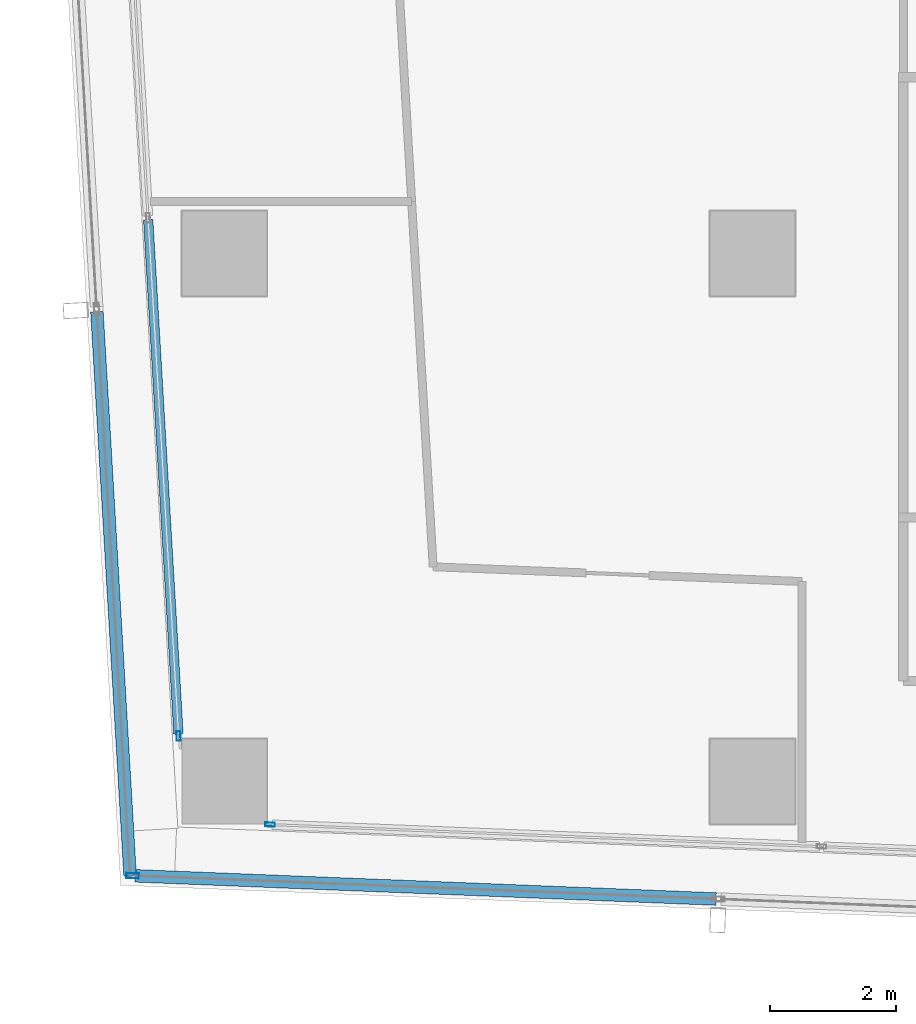
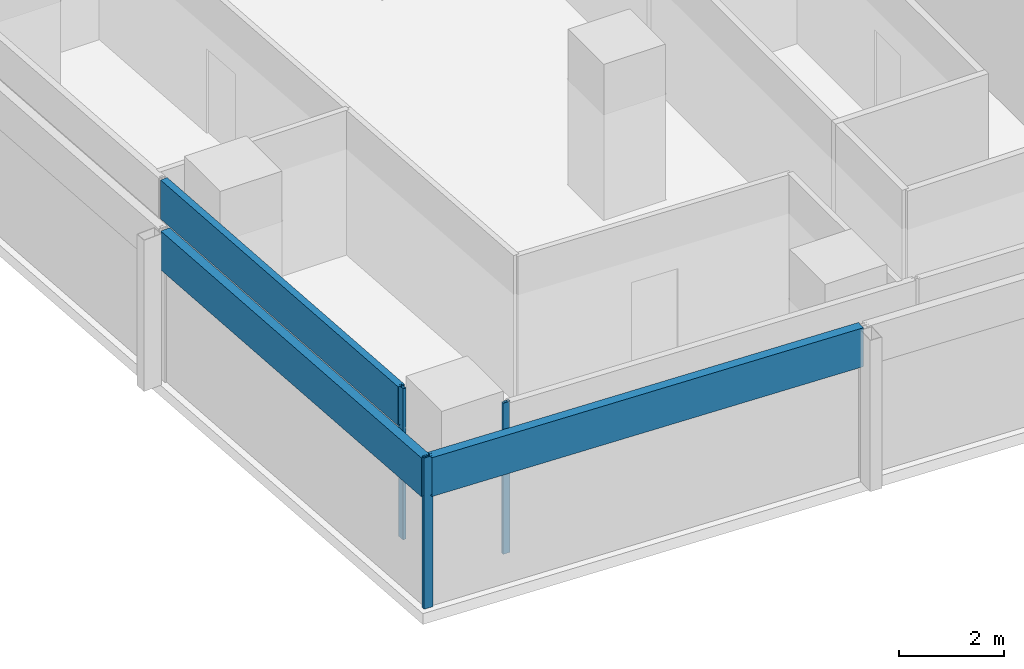
# One storey, part 2 of 38: 6 members, 4 elements without a shape of their own.
"""IFC4 building model written with IfcOpenShell, lengths in metres."""

from ifc_helpers import new_model, si_unit, direction, frame, origin, origin_2d, place, context, subcontext, project, spatial, hollow_rectangle, extrude, material, material_profile, profile_set, type_object, element, aggregate, save


model = new_model("IFC4")

# Units and contexts
model_context = context("Model", 3, precision=1e-05, world=origin(), true_north=direction((0.0, 1.0)))
body_context = subcontext(model_context, "Body", "Model", "MODEL_VIEW")
ifc_project = project(units=[si_unit("LENGTHUNIT", "METRE"), si_unit("AREAUNIT", "SQUARE_METRE"), si_unit("VOLUMEUNIT", "CUBIC_METRE"), si_unit("PLANEANGLEUNIT", "RADIAN"), si_unit("MASSUNIT", "GRAM", prefix="KILO")], contexts=[model_context])

# Site, building, storey
site_placement = place(None, origin())
site = spatial("IfcSite", under=ifc_project, at=site_placement, CompositionType="ELEMENT")
building_placement = place(site_placement, origin())
building = spatial("IfcBuilding", under=site, at=building_placement, Name="Rekha Terrace Tower", CompositionType="ELEMENT")
storey_placement = place(building_placement, frame((0.0, 0.0, 198.949951171875)))
storey = spatial("IfcBuildingStorey", under=building, at=storey_placement, Name="L50", CompositionType="ELEMENT", Elevation=198.949951171875)

# Curtain wall, member
ifc_material_1 = material(Name="Aluminium framing", Category="aluminium")
curtain_wall_type_1 = type_object("IfcCurtainWallType", Name="CW1 double skin inner glazing", PredefinedType="USERDEFINED", material=ifc_material_1)
curtain_wall_1_placement = place(storey_placement, origin())
curtain_wall_1 = element("IfcCurtainWall", 1, at=curtain_wall_1_placement, inside=storey, type_object=curtain_wall_type_1, Name="CW1 double skin inner glazing", ObjectType="DOUBLE SKIN INNER GLAZING", PredefinedType="USERDEFINED")
ifc_material_2 = material(Name="Aluminium mullion section", Category="aluminium")
ifc_material_profile_1 = material_profile(ifc_material_2, hollow_rectangle(XDim=0.06494140625, YDim=0.14990234375, WallThickness=0.00390625, at=origin_2d()), Name="AL RHS 65x150")
ifc_profile_set_1 = profile_set([ifc_material_profile_1], Name="Aluminium mullion section")
member_type_1 = type_object("IfcMemberType", Name="CW1 mullion RHS 65 x 150", PredefinedType="MULLION", material=ifc_profile_set_1)
member_1_placement = place(storey_placement, frame((9.127197265625, 16.115966796875, 0.0), z_axis=(0.0, 0.0, 1.0), x_axis=(0.039872497061, 0.999204775798, 0.0)))
member_1 = element("IfcMember", 2, at=member_1_placement, type_object=member_type_1, Name="CW1 mullion 1", PredefinedType="MULLION", context=body_context, shape_type="SweptSolid", body=[
    extrude(hollow_rectangle(XDim=0.06494140625, YDim=0.14990234375, WallThickness=0.00390625, at=origin_2d()), origin(), (0.0, 0.0, 1.0), 3.5),
])
aggregate(curtain_wall_1, [member_1])

# Curtain wall, members
curtain_wall_2_placement = place(storey_placement, origin())
curtain_wall_2 = element("IfcCurtainWall", 3, at=curtain_wall_2_placement, inside=storey, type_object=curtain_wall_type_1, Name="CW1 double skin inner glazing", ObjectType="DOUBLE SKIN INNER GLAZING", PredefinedType="USERDEFINED")
member_2_placement = place(storey_placement, frame((7.672119140625, 17.5244140625, 0.0), z_axis=(0.0, 0.0, 1.0), x_axis=(0.998271839269, 0.058765082516, 0.0)))
member_2 = element("IfcMember", 4, at=member_2_placement, type_object=member_type_1, Name="CW1 mullion 4", PredefinedType="MULLION", context=body_context, shape_type="SweptSolid", body=[
    extrude(hollow_rectangle(XDim=0.06494140625, YDim=0.14990234375, WallThickness=0.00390625, at=origin_2d()), origin(), (0.0, 0.0, 1.0), 3.5),
])
ifc_material_3 = material(Name="Insulated aluminium spandrel box", Category="aluminium")
ifc_material_profile_2 = material_profile(ifc_material_3, hollow_rectangle(XDim=0.14990234375, YDim=0.89990234375, WallThickness=0.0029296875, at=origin_2d()), Name="AL SPANDREL BOX 150x900")
ifc_profile_set_2 = profile_set([ifc_material_profile_2], Name="Insulated aluminium spandrel box")
member_type_2 = type_object("IfcMemberType", Name="CW1 spandrel transom 150 x 900", PredefinedType="USERDEFINED", material=ifc_profile_set_2)
member_3_placement = place(storey_placement, frame((7.188720703125, 25.733642578125, 3.050048828125), z_axis=(0.058777934282, -0.998271082643, 0.0), x_axis=(0.998271082643, 0.058777934282, 0.0)))
member_3 = element("IfcMember", 5, at=member_3_placement, type_object=member_type_2, Name="CW1 spandrel transom 3", ObjectType="TRANSOM", PredefinedType="USERDEFINED", context=body_context, shape_type="SweptSolid", body=[
    extrude(hollow_rectangle(XDim=0.14990234375, YDim=0.89990234375, WallThickness=0.0029296875, at=origin_2d()), origin(), (0.0, 0.0, 1.0), 8.19091796875),
])
aggregate(curtain_wall_2, [member_2, member_3])

curtain_wall_type_2 = type_object("IfcCurtainWallType", Name="CW2 double skin outer glazing", PredefinedType="USERDEFINED", material=ifc_material_1)
curtain_wall_3_placement = place(storey_placement, origin())
curtain_wall_3 = element("IfcCurtainWall", 6, at=curtain_wall_3_placement, inside=storey, type_object=curtain_wall_type_2, Name="CW2 double skin outer glazing", ObjectType="DOUBLE SKIN OUTER GLAZING", PredefinedType="USERDEFINED")
ifc_material_profile_3 = material_profile(ifc_material_2, hollow_rectangle(XDim=0.080078125, YDim=0.199951171875, WallThickness=0.00390625, at=origin_2d()), Name="AL RHS 80x200")
ifc_profile_set_3 = profile_set([ifc_material_profile_3], Name="Aluminium mullion section")
member_type_3 = type_object("IfcMemberType", Name="CW2 mullion RHS 80 x 200", PredefinedType="MULLION", material=ifc_profile_set_3)
member_4_placement = place(storey_placement, frame((6.941162109375, 15.302490234375, 0.0), z_axis=(0.0, 0.0, 1.0), x_axis=(0.039872497044, 0.999204775799, 0.0)))
member_4 = element("IfcMember", 7, at=member_4_placement, type_object=member_type_3, Name="CW2 mullion 1", PredefinedType="MULLION", context=body_context, shape_type="SweptSolid", body=[
    extrude(hollow_rectangle(XDim=0.080078125, YDim=0.199951171875, WallThickness=0.00390625, at=origin_2d()), origin(), (0.0, 0.0, 1.0), 3.5),
])
ifc_material_profile_4 = material_profile(ifc_material_3, hollow_rectangle(XDim=0.199951171875, YDim=0.89990234375, WallThickness=0.0029296875, at=origin_2d()), Name="AL SPANDREL BOX 200x900")
ifc_profile_set_4 = profile_set([ifc_material_profile_4], Name="Insulated aluminium spandrel box")
member_type_4 = type_object("IfcMemberType", Name="CW2 spandrel transom 200 x 900", PredefinedType="USERDEFINED", material=ifc_profile_set_4)
member_5_placement = place(storey_placement, frame((6.981201171875, 15.301025390625, 3.050048828125), z_axis=(0.999203782278, -0.039897386899, 0.0), x_axis=(0.039897386899, 0.999203782278, 0.0)))
member_5 = element("IfcMember", 8, at=member_5_placement, type_object=member_type_4, Name="CW2 spandrel transom 1", ObjectType="TRANSOM", PredefinedType="USERDEFINED", context=body_context, shape_type="SweptSolid", body=[
    extrude(hollow_rectangle(XDim=0.199951171875, YDim=0.89990234375, WallThickness=0.0029296875, at=origin_2d()), origin(), (0.0, 0.0, 1.0), 9.24609375),
])
aggregate(curtain_wall_3, [member_4, member_5])

# Curtain wall, member
curtain_wall_4_placement = place(storey_placement, origin())
curtain_wall_4 = element("IfcCurtainWall", 9, at=curtain_wall_4_placement, inside=storey, type_object=curtain_wall_type_2, Name="CW2 double skin outer glazing", ObjectType="DOUBLE SKIN OUTER GLAZING", PredefinedType="USERDEFINED")
member_6_placement = place(storey_placement, frame((6.373291015625, 24.27197265625, 3.050048828125), z_axis=(0.058757071111, -0.998272310842, 0.0), x_axis=(0.998272310842, 0.058757071111, 0.0)))
member_6 = element("IfcMember", 10, at=member_6_placement, type_object=member_type_4, Name="CW2 spandrel transom 3", ObjectType="TRANSOM", PredefinedType="USERDEFINED", context=body_context, shape_type="SweptSolid", body=[
    extrude(hollow_rectangle(XDim=0.199951171875, YDim=0.89990234375, WallThickness=0.0029296875, at=origin_2d()), origin(), (0.0, 0.0, 1.0), 8.9833984375),
])
aggregate(curtain_wall_4, [member_6])

save(model, "model.ifc")
